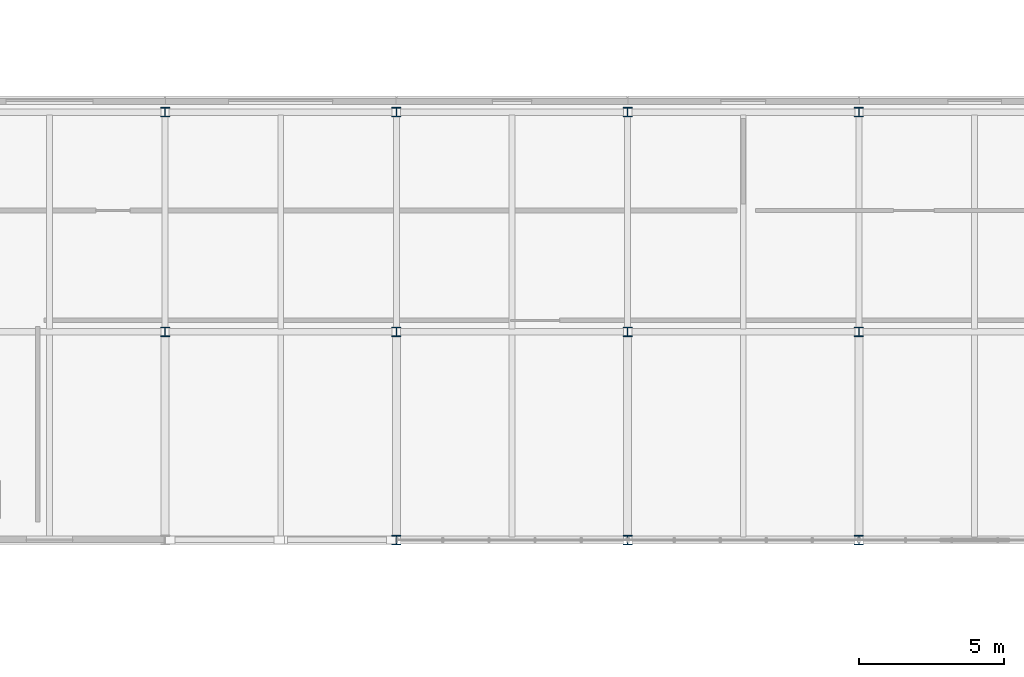
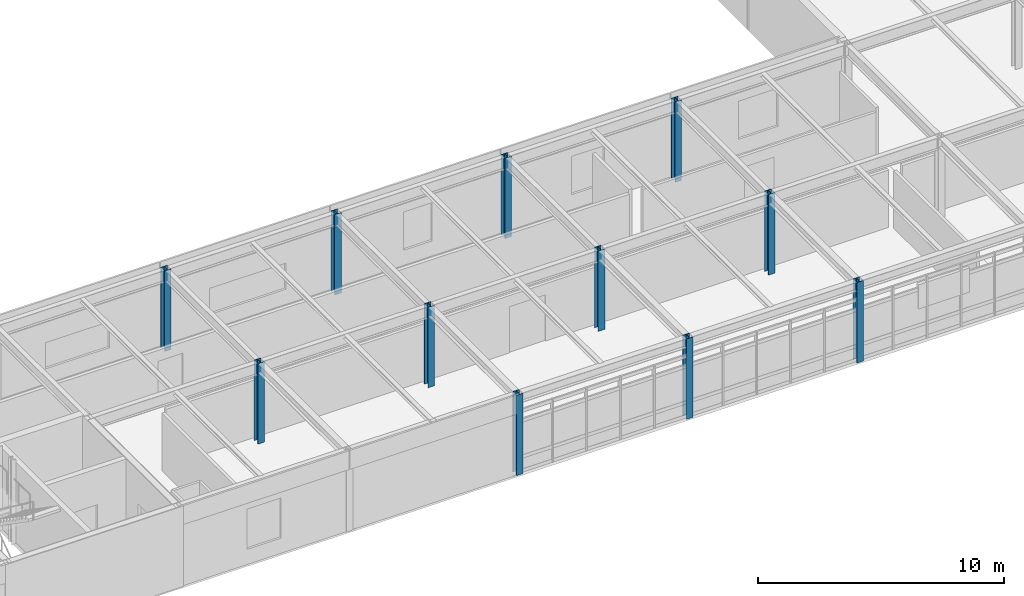
# One storey, part 6 of 85: 11 columns.
"""IFC4 building model written with IfcOpenShell, lengths in metres."""

import ifcopenshell
import ifcopenshell.guid

model = None  # the IFC model being written
_history = None  # IfcOwnerHistory: only IFC2X3 demands one
_inside = {}  # id of a spatial element -> (the spatial element, [elements in it])
_under = {}  # id of a project, library or spatial element -> (it, [spatial elements below it])
_declared = {}  # id of a project -> (the project, [libraries it declares])
_typed = {}  # id of a type object -> (the type object, [elements of that type])
_made_of = {}  # id of a material, layer set ... -> (it, [elements and type objects made of it])


def new_model(schema):
    """Start an empty IFC model of exactly this schema.

    Asked for "IFC4X3", IfcOpenShell would pick the latest addendum, in which some entities
    have other attributes; the version numbers below select the first issue.
    IFC2X3 requires an IfcOwnerHistory on every rooted entity: one is made here for all.
    """
    global model, _history
    if schema == "IFC4X3":
        model = ifcopenshell.file(schema_version=(4, 3, 0, 0))
    else:
        model = ifcopenshell.file(schema=schema)
    _inside.clear()
    _under.clear()
    _declared.clear()
    _typed.clear()
    _made_of.clear()
    _history = None
    if model.schema == "IFC2X3":
        org = make("IfcOrganization", Name="unknown")
        user = make(
            "IfcPersonAndOrganization",
            ThePerson=make("IfcPerson", FamilyName="unknown"),
            TheOrganization=org,
        )
        app = make(
            "IfcApplication",
            ApplicationDeveloper=org,
            Version="unknown",
            ApplicationFullName="unknown",
            ApplicationIdentifier="unknown",
        )
        _history = make(
            "IfcOwnerHistory",
            OwningUser=user,
            OwningApplication=app,
            ChangeAction="ADDED",
            CreationDate=0,
        )
    return model


def make(cls, **values):
    """One entity of the class cls with the attributes given. An attribute that is None is left unset."""
    return model.create_entity(
        cls, **{name: value for name, value in values.items() if value is not None}
    )


def rooted(cls, **values):
    """An entity with a GlobalId (a new one), such as an element, a storey or a relation."""
    return make(cls, GlobalId=ifcopenshell.guid.new(), OwnerHistory=_history, **values)


def si_unit(unit_type, name, prefix=None):
    """IfcSIUnit, for example si_unit("LENGTHUNIT", "METRE", prefix="MILLI")."""
    return make("IfcSIUnit", UnitType=unit_type, Prefix=prefix, Name=name)


def assignment(units):
    """IfcUnitAssignment: the units of a project."""
    return None if units is None else make("IfcUnitAssignment", Units=units)


def point(xyz):
    """IfcCartesianPoint."""
    return None if xyz is None else make("IfcCartesianPoint", Coordinates=xyz)


def direction(xyz):
    """IfcDirection."""
    return None if xyz is None else make("IfcDirection", DirectionRatios=xyz)


def frame(location, z_axis=None, x_axis=None):
    """IfcAxis2Placement3D, a coordinate frame: its origin and axes. An axis left out is left unset."""
    return make(
        "IfcAxis2Placement3D",
        Location=point(location),
        Axis=direction(z_axis),
        RefDirection=direction(x_axis),
    )


def frame_2d(location, x_axis=None):
    """IfcAxis2Placement2D, a coordinate frame in the plane: its origin and x axis."""
    return make(
        "IfcAxis2Placement2D", Location=point(location), RefDirection=direction(x_axis)
    )


def origin():
    """The frame at (0, 0, 0) with its axes left unset."""
    return frame((0.0, 0.0, 0.0))


def origin_2d():
    """The frame at (0, 0) in the plane with its x axis left unset."""
    return frame_2d((0.0, 0.0))


def place(relative_to, where):
    """IfcLocalPlacement: puts the frame where relative to a parent placement (None: the world)."""
    return make(
        "IfcLocalPlacement", PlacementRelTo=relative_to, RelativePlacement=where
    )


def context(
    kind, dimensions, precision=None, world=None, true_north=None, identifier=None
):
    """IfcGeometricRepresentationContext, for example the 3D "Model" context."""
    return make(
        "IfcGeometricRepresentationContext",
        ContextIdentifier=identifier,
        ContextType=kind,
        CoordinateSpaceDimension=dimensions,
        Precision=precision,
        WorldCoordinateSystem=world,
        TrueNorth=true_north,
    )


def subcontext(parent, identifier, kind, view, scale=None):
    """IfcGeometricRepresentationSubContext, for example "Body" below "Model"."""
    return make(
        "IfcGeometricRepresentationSubContext",
        ContextIdentifier=identifier,
        ContextType=kind,
        ParentContext=parent,
        TargetScale=scale,
        TargetView=view,
    )


def project(units=None, contexts=None):
    """IfcProject with its units and contexts."""
    return rooted(
        "IfcProject",
        Name="project",
        RepresentationContexts=contexts,
        UnitsInContext=assignment(units),
    )


def spatial(cls, under=None, at=None, **own):
    """A site, building, storey or space (cls), placed at a placement, below another one or the project."""
    s = rooted(cls, ObjectPlacement=at, **own)
    if under is not None:
        _under.setdefault(under.id(), (under, []))[1].append(s)
    return s


def profile(cls, at=None, kind="AREA", **sizes):
    """A parametric profile (cls). Its sizes go by their IFC names, for example OverallWidth=200.0."""
    return make(cls, ProfileType=kind, Position=at, **sizes)


def i_section(**sizes):
    """IfcIShapeProfileDef."""
    return profile("IfcIShapeProfileDef", **sizes)


def extrude(swept, where, along, depth):
    """IfcExtrudedAreaSolid: the profile swept, set in the frame where, extruded along a direction by depth."""
    return make(
        "IfcExtrudedAreaSolid",
        SweptArea=swept,
        Position=where,
        ExtrudedDirection=direction(along),
        Depth=depth,
    )


def shape(context_of_items, identifier, shape_type, items):
    """IfcShapeRepresentation: the items that make up one representation, for example the "Body"."""
    return make(
        "IfcShapeRepresentation",
        ContextOfItems=context_of_items,
        RepresentationIdentifier=identifier,
        RepresentationType=shape_type,
        Items=items,
    )


def material(Name=None, Category=None):
    """IfcMaterial."""
    return make("IfcMaterial", Name=Name, Category=Category)


def material_profile(
    of_material, cross_section, Name=None, Category=None, Priority=None
):
    """IfcMaterialProfile: a cross section and its material."""
    return make(
        "IfcMaterialProfile",
        Name=Name,
        Material=of_material,
        Profile=cross_section,
        Priority=Priority,
        Category=Category,
    )


def profile_set(profiles, Name=None, composite=None):
    """IfcMaterialProfileSet."""
    return make(
        "IfcMaterialProfileSet",
        Name=Name,
        MaterialProfiles=profiles,
        CompositeProfile=composite,
    )


def made_of(thing, what):
    """Note that an element or type object is made of a material, layer set ...; save() writes the relation."""
    if what is not None:
        _made_of.setdefault(what.id(), (what, []))[1].append(thing)
    return thing


def type_object(cls, material=None, **own):
    """A type object (cls), such as IfcWallType, which elements share."""
    return made_of(rooted(cls, **own), material)


def element(
    cls,
    number,
    at=None,
    inside=None,
    cuts=None,
    type_object=None,
    material=None,
    context=None,
    identifier="Body",
    shape_type=None,
    held_by="IfcProductDefinitionShape",
    body=None,
    shapes=None,
    **own,
):
    """One element of the class cls, such as IfcWall. Its Tag is "e" and its number.

    at: its placement. inside: the storey or other place that contains it. cuts: it is an
    opening in that element (IfcRelVoidsElement). A single representation is given by context,
    identifier, shape_type and body (its items); several are given by shapes. held_by: the class
    of the entity that holds the representations. save() writes the other relations.
    """
    e = rooted(cls, Tag="e%d" % number, ObjectPlacement=at, **own)
    if body is not None:
        shapes = [shape(context, identifier, shape_type, body)]
    if shapes is not None:
        e.Representation = make(held_by, Representations=shapes)
    if inside is not None:
        _inside.setdefault(inside.id(), (inside, []))[1].append(e)
    if cuts is not None:
        rooted(
            "IfcRelVoidsElement", RelatingBuildingElement=cuts, RelatedOpeningElement=e
        )
    if type_object is not None:
        _typed.setdefault(type_object.id(), (type_object, []))[1].append(e)
    return made_of(e, material)


def aggregate(whole, parts):
    """IfcRelAggregates: a whole, such as a stair, and the parts it consists of."""
    return rooted("IfcRelAggregates", RelatingObject=whole, RelatedObjects=parts)


def save(model, path):
    """Write the relations noted so far, then the file.

    IfcRelAggregates (storeys below a building ...), IfcRelContainedInSpatialStructure (elements
    in a storey), IfcRelDefinesByType, IfcRelAssociatesMaterial and IfcRelDeclares: one each for
    every whole, place, type object, material and project.
    """
    for whole, parts in _under.values():
        aggregate(whole, parts)
    for where, things in _inside.values():
        rooted(
            "IfcRelContainedInSpatialStructure",
            RelatedElements=things,
            RelatingStructure=where,
        )
    for kind, things in _typed.values():
        rooted("IfcRelDefinesByType", RelatedObjects=things, RelatingType=kind)
    for what, things in _made_of.values():
        rooted("IfcRelAssociatesMaterial", RelatedObjects=things, RelatingMaterial=what)
    for by, libraries in _declared.values():
        rooted("IfcRelDeclares", RelatingContext=by, RelatedDefinitions=libraries)
    model.write(path)


model = new_model("IFC4")

# Units and contexts
model_context = context("Model", 3, precision=1e-05, world=origin(), true_north=direction((0.0, 1.0)))
body_context = subcontext(model_context, "Body", "Model", "MODEL_VIEW")
ifc_project = project(units=[si_unit("LENGTHUNIT", "METRE"), si_unit("AREAUNIT", "SQUARE_METRE"), si_unit("VOLUMEUNIT", "CUBIC_METRE"), si_unit("PLANEANGLEUNIT", "RADIAN"), si_unit("MASSUNIT", "GRAM", prefix="KILO")], contexts=[model_context])

# Site, building, storey
site_placement = place(None, origin())
site = spatial("IfcSite", under=ifc_project, at=site_placement, CompositionType="ELEMENT")
building_placement = place(site_placement, origin())
building = spatial("IfcBuilding", under=site, at=building_placement, Name="Zulena Civic Courthouse", CompositionType="ELEMENT")
storey_placement = place(building_placement, frame((0.0, 0.0, 25.199951171875)))
storey = spatial("IfcBuildingStorey", under=building, at=storey_placement, Name="L05", CompositionType="ELEMENT", Elevation=25.199951171875)

# Columns
ifc_material = material(Name="Steel ASTM A992 Grade 50", Category="steel")
ifc_material_profile = material_profile(ifc_material, i_section(OverallWidth=0.30908203125, OverallDepth=0.322998046875, WebThickness=0.013916015625, FlangeThickness=0.02294921875, FilletRadius=0.01513671875, at=origin_2d()), Name="W12X96")
ifc_profile_set = profile_set([ifc_material_profile], Name="Steel ASTM A992 Grade 50")
column_type = type_object("IfcColumnType", Name="Col_W12X96", PredefinedType="COLUMN", material=ifc_profile_set)
for number, where, z_axis, x_axis, name in (
    (1, (36.0, 53.199951171875, 0.0), (0.0, 0.0, 1.0), (1.0, 0.0, 0.0), "col:V5:L05:36.0:53.2"),
    (2, (36.0, 60.800048828125, 0.0), (0.0, 0.0, 1.0), (1.0, 0.0, 0.0), "col:V5:L05:36.0:60.8"),
    (3, (44.0, 46.0, 0.0), (0.0, 0.0, 1.0), (1.0, 0.0, 0.0), "col:V5:L05:44.0:46.0"),
    (4, (44.0, 53.199951171875, 0.0), (0.0, 0.0, 1.0), (1.0, 0.0, 0.0), "col:V5:L05:44.0:53.2"),
    (5, (44.0, 60.800048828125, 0.0), (0.0, 0.0, 1.0), (1.0, 0.0, 0.0), "col:V5:L05:44.0:60.8"),
    (6, (52.0, 46.0, 0.0), (0.0, 0.0, 1.0), (1.0, 0.0, 0.0), "col:V5:L05:52.0:46.0"),
    (7, (52.0, 53.199951171875, 0.0), (0.0, 0.0, 1.0), (1.0, 0.0, 0.0), "col:V5:L05:52.0:53.2"),
    (8, (52.0, 60.800048828125, 0.0), (0.0, 0.0, 1.0), (1.0, 0.0, 0.0), "col:V5:L05:52.0:60.8"),
    (9, (60.0, 46.0, 0.0), (0.0, 0.0, 1.0), (1.0, 0.0, 0.0), "col:V5:L05:60.0:46.0"),
    (10, (60.0, 53.199951171875, 0.0), (0.0, 0.0, 1.0), (1.0, 0.0, 0.0), "col:V5:L05:60.0:53.2"),
    (11, (60.0, 60.800048828125, 0.0), (0.0, 0.0, 1.0), (1.0, 0.0, 0.0), "col:V5:L05:60.0:60.8"),
):
    element("IfcColumn", number, at=place(storey_placement, frame(where, z_axis=z_axis, x_axis=x_axis)), inside=storey, type_object=column_type, Name=name, PredefinedType="COLUMN", context=body_context, shape_type="SweptSolid", body=[
        extrude(i_section(OverallWidth=0.30908203125, OverallDepth=0.322998046875, WebThickness=0.013916015625, FlangeThickness=0.02294921875, FilletRadius=0.01513671875, at=origin_2d()), origin(), (0.0, 0.0, 1.0), 3.9951171875),
    ])

save(model, "model.ifc")
